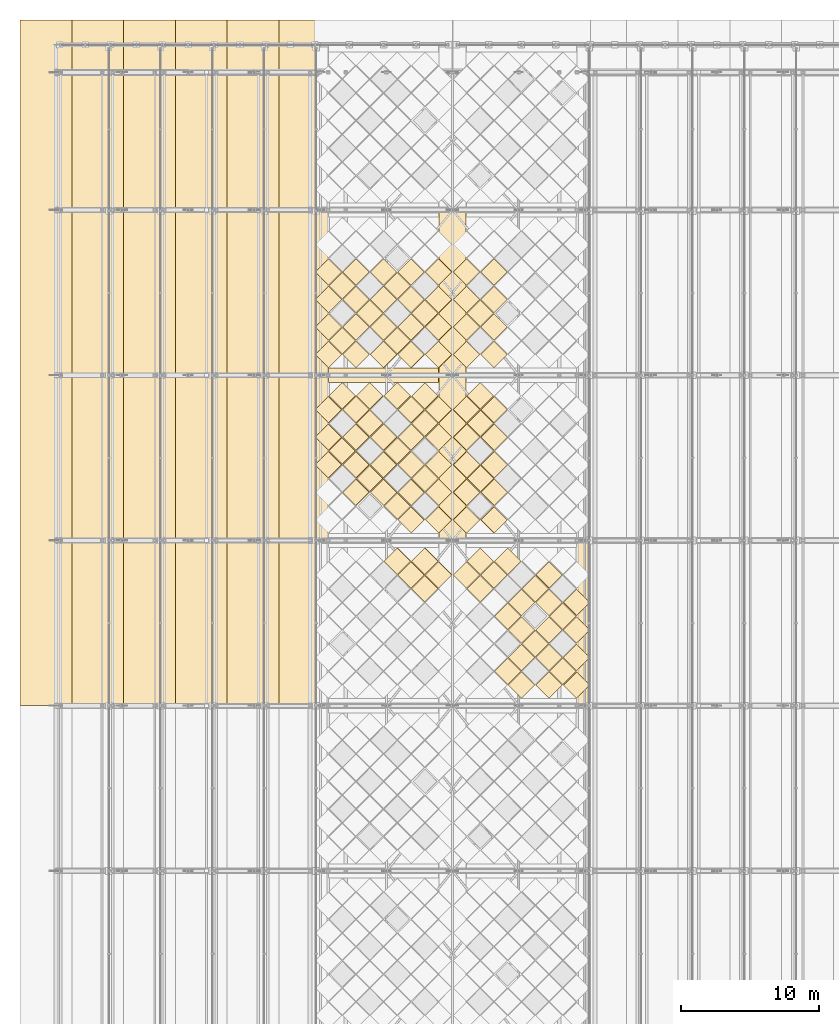
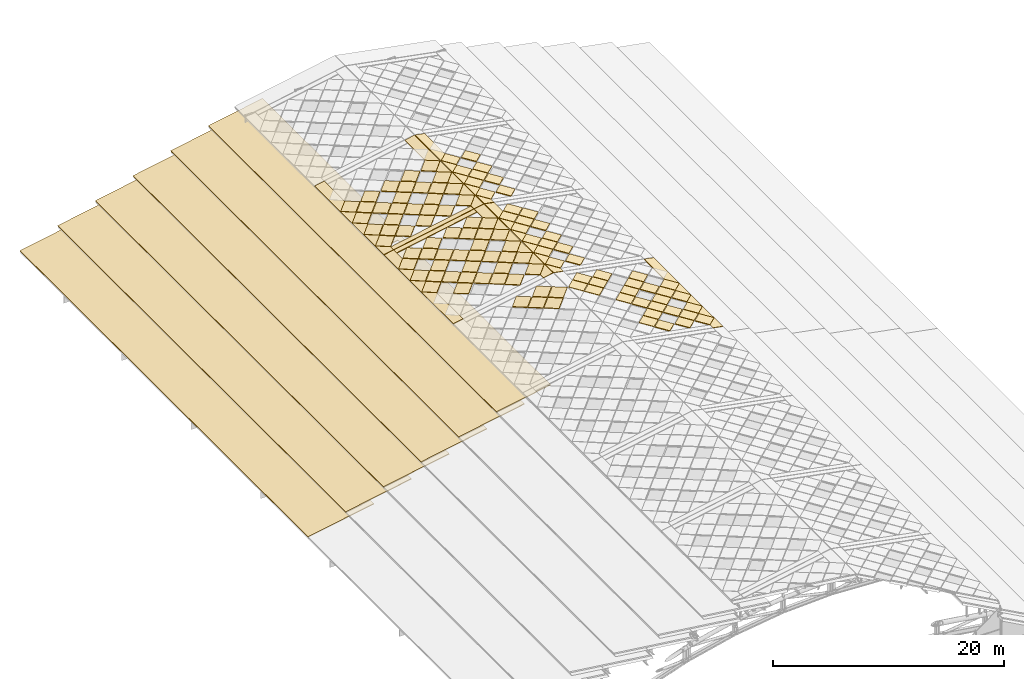
# One storey, part 115 of 117: 123 coverings.
"""IFC4 building model written with IfcOpenShell, lengths in metres."""

from ifc_helpers import new_model, si_unit, direction, frame, origin, place, context, subcontext, project, spatial, polyline, outline, extrude, material, layer, layer_set, type_object, element, save


model = new_model("IFC4")

# Units and contexts
model_context = context("Model", 3, precision=1e-05, world=origin(), true_north=direction((0.0, 1.0)))
body_context = subcontext(model_context, "Body", "Model", "MODEL_VIEW")
ifc_project = project(units=[si_unit("LENGTHUNIT", "METRE"), si_unit("AREAUNIT", "SQUARE_METRE"), si_unit("VOLUMEUNIT", "CUBIC_METRE"), si_unit("PLANEANGLEUNIT", "RADIAN"), si_unit("MASSUNIT", "GRAM", prefix="KILO")], contexts=[model_context])

# Site, building, storey
site_placement = place(None, origin())
site = spatial("IfcSite", under=ifc_project, at=site_placement, CompositionType="ELEMENT")
building_placement = place(site_placement, origin())
building = spatial("IfcBuilding", under=site, at=building_placement, Name="Merenkruunu Market Hall", CompositionType="ELEMENT")
storey_placement = place(building_placement, frame((0.0, 0.0, 22.800048828125)))
storey = spatial("IfcBuildingStorey", under=building, at=storey_placement, Name="RF", CompositionType="ELEMENT", Elevation=22.800048828125)

# Coverings
ifc_material_1 = material(Name="High-albedo white steel roof cladding", Category="steel")
ifc_layer_1 = layer(ifc_material_1, 0.080078125)
ifc_layer_set_1 = layer_set([ifc_layer_1], Name="High-albedo white steel roof cladding")
covering_type_1 = type_object("IfcCoveringType", Name="Insulated White Diamond Roof Panel RFG01", PredefinedType="ROOFING", material=ifc_layer_set_1)
for number, where, z_axis, x_axis, name in (
    (1, (26.8251953125, 73.10009765625, 1.5107421875), (-0.184711070472, 0.0, 0.982792867518), (0.700856370735, -0.70103461498, 0.131722496941), "COV-CROWN-PNL-293"),
    (2, (25.8251953125, 72.10009765625, 1.32275390625), (-0.184711070472, 0.0, 0.982792867518), (0.700856370735, -0.70103461498, 0.131722496941), "COV-CROWN-PNL-295"),
    (3, (25.8251953125, 74.10009765625, 1.32275390625), (-0.184711070472, 0.0, 0.982792867518), (0.700856370735, -0.70103461498, 0.131722496941), "COV-CROWN-PNL-296"),
    (4, (24.8251953125, 73.10009765625, 1.134765625), (-0.184711070472, 0.0, 0.982792867518), (0.700856370735, -0.70103461498, 0.131722496941), "COV-CROWN-PNL-301"),
):
    element("IfcCovering", number, at=place(storey_placement, frame(where, z_axis=z_axis, x_axis=x_axis)), inside=storey, type_object=covering_type_1, Name=name, PredefinedType="ROOFING", context=body_context, shape_type="SweptSolid", body=[
        extrude(outline(polyline([(0.0, 0.0), (1.369697098555844, -1.1796119636642288e-16), (1.393120202621735, 1.3694968053954037), (0.0235942550949389, 1.369322702063927), (0.0, 0.0)])), origin(), (0.0, 0.0, -1.0), 0.080078125),
    ])
covering_1_placement = place(storey_placement, frame((23.8251953125, 74.10009765625, 0.946533203125), z_axis=(-0.184831776078, 0.0, 0.982770173821), x_axis=(0.700856096019, -0.701018147677, 0.131811567397)))
element("IfcCovering", 5, at=covering_1_placement, inside=storey, type_object=covering_type_1, Name="COV-CROWN-PNL-304", PredefinedType="ROOFING", context=body_context, shape_type="SweptSolid", body=[
    extrude(outline(polyline([(0.0, 0.0), (1.3697292734952495, 5.551115123125783e-17), (1.3931839959170225, 1.3694962589931816), (0.023658049988929668, 1.3693537851152227), (0.0, 0.0)])), origin(), (0.0, 0.0, -1.0), 0.080078125),
])
for number, where, z_axis, x_axis, name in (
    (6, (28.85498046875, 73.10009765625, 1.87158203125), (0.184711070472, 0.0, 0.982792867518), (0.700856370735, -0.70103461498, -0.131722496941), "COV-CROWN-PNL-329"),
    (7, (29.85498046875, 72.10009765625, 1.68359375), (0.184711070472, 0.0, 0.982792867518), (0.700856370735, -0.70103461498, -0.131722496941), "COV-CROWN-PNL-331"),
    (8, (29.85498046875, 74.10009765625, 1.68359375), (0.184711070472, 0.0, 0.982792867518), (0.700856370735, -0.70103461498, -0.131722496941), "COV-CROWN-PNL-332"),
    (9, (30.85498046875, 73.10009765625, 1.49560546875), (0.184711070472, 0.0, 0.982792867518), (0.700856370735, -0.70103461498, -0.131722496941), "COV-CROWN-PNL-337"),
):
    element("IfcCovering", number, at=place(storey_placement, frame(where, z_axis=z_axis, x_axis=x_axis)), inside=storey, type_object=covering_type_1, Name=name, PredefinedType="ROOFING", context=body_context, shape_type="SweptSolid", body=[
        extrude(outline(polyline([(0.0, 0.0), (1.369697098555844, -1.1796119636642288e-16), (1.393120202621735, 1.3694968053954037), (0.0235942550949389, 1.369322702063927), (0.0, 0.0)])), origin(), (0.0, 0.0, -1.0), 0.080078125),
    ])
for number, where, z_axis, x_axis, name in (
    (10, (31.85498046875, 66.10009765625, 1.3076171875), (0.184831776078, 0.0, 0.982770173821), (0.700840184643, -0.701034617669, -0.131808574909), "COV-CROWN-PNL-338"),
    (11, (31.85498046875, 70.10009765625, 1.3076171875), (0.184831776078, 0.0, 0.982770173821), (0.700840184643, -0.701034617669, -0.131808574909), "COV-CROWN-PNL-339"),
    (12, (31.85498046875, 74.10009765625, 1.3076171875), (0.184831776078, 0.0, 0.982770173821), (0.700840184643, -0.701034617669, -0.131808574909), "COV-CROWN-PNL-340"),
    (13, (32.85498046875, 65.10009765625, 1.11962890625), (0.184831776078, 0.0, 0.982770173821), (0.700840184643, -0.701034617669, -0.131808574909), "COV-CROWN-PNL-341"),
    (14, (32.85498046875, 67.10009765625, 1.11962890625), (0.184831776078, 0.0, 0.982770173821), (0.700840184643, -0.701034617669, -0.131808574909), "COV-CROWN-PNL-342"),
    (15, (32.85498046875, 69.10009765625, 1.11962890625), (0.184831776078, 0.0, 0.982770173821), (0.700840184643, -0.701034617669, -0.131808574909), "COV-CROWN-PNL-343"),
    (16, (32.85498046875, 71.10009765625, 1.11962890625), (0.184831776078, 0.0, 0.982770173821), (0.700840184643, -0.701034617669, -0.131808574909), "COV-CROWN-PNL-344"),
    (17, (33.85498046875, 68.10009765625, 0.931640625), (0.184831776078, 0.0, 0.982770173821), (0.700840184643, -0.701034617669, -0.131808574909), "COV-CROWN-PNL-345"),
    (18, (33.85498046875, 72.10009765625, 0.931640625), (0.184831776078, 0.0, 0.982770173821), (0.700840184643, -0.701034617669, -0.131808574909), "COV-CROWN-PNL-346"),
    (19, (34.85498046875, 65.10009765625, 0.74365234375), (0.184831776078, 0.0, 0.982770173821), (0.700840184643, -0.701034617669, -0.131808574909), "COV-CROWN-PNL-348"),
    (20, (34.85498046875, 67.10009765625, 0.74365234375), (0.184831776078, 0.0, 0.982770173821), (0.700840184643, -0.701034617669, -0.131808574909), "COV-CROWN-PNL-349"),
    (21, (34.85498046875, 69.10009765625, 0.74365234375), (0.184831776078, 0.0, 0.982770173821), (0.700840184643, -0.701034617669, -0.131808574909), "COV-CROWN-PNL-350"),
    (22, (34.85498046875, 71.10009765625, 0.74365234375), (0.184831776078, 0.0, 0.982770173821), (0.700840184643, -0.701034617669, -0.131808574909), "COV-CROWN-PNL-351"),
    (23, (34.85498046875, 73.10009765625, 0.74365234375), (0.184831776078, 0.0, 0.982770173821), (0.700840184643, -0.701034617669, -0.131808574909), "COV-CROWN-PNL-352"),
    (24, (35.85498046875, 66.10009765625, 0.5556640625), (0.184831776078, 0.0, 0.982770173821), (0.700840184643, -0.701034617669, -0.131808574909), "COV-CROWN-PNL-353"),
    (25, (35.85498046875, 70.10009765625, 0.5556640625), (0.184831776078, 0.0, 0.982770173821), (0.700840184643, -0.701034617669, -0.131808574909), "COV-CROWN-PNL-354"),
    (26, (36.85498046875, 65.10009765625, 0.36767578125), (0.184831776078, 0.0, 0.982770173821), (0.700840184643, -0.701034617669, -0.131808574909), "COV-CROWN-PNL-356"),
    (27, (36.85498046875, 67.10009765625, 0.36767578125), (0.184831776078, 0.0, 0.982770173821), (0.700840184643, -0.701034617669, -0.131808574909), "COV-CROWN-PNL-357"),
    (28, (36.85498046875, 69.10009765625, 0.36767578125), (0.184831776078, 0.0, 0.982770173821), (0.700840184643, -0.701034617669, -0.131808574909), "COV-CROWN-PNL-358"),
    (29, (36.85498046875, 71.10009765625, 0.36767578125), (0.184831776078, 0.0, 0.982770173821), (0.700840184643, -0.701034617669, -0.131808574909), "COV-CROWN-PNL-359"),
):
    element("IfcCovering", number, at=place(storey_placement, frame(where, z_axis=z_axis, x_axis=x_axis)), inside=storey, type_object=covering_type_1, Name=name, PredefinedType="ROOFING", context=body_context, shape_type="SweptSolid", body=[
        extrude(outline(polyline([(0.0, 0.0), (1.3696970933020924, 3.8163916471489756e-17), (1.3931523667781838, 1.3695284344678598), (0.023594244677936634, 1.3693226969882304), (0.0, 0.0)])), origin(), (0.0, 0.0, -1.0), 0.080078125),
    ])
for number, where, z_axis, x_axis, name in (
    (30, (26.8251953125, 77.10009765625, 1.5107421875), (-0.184711070472, 0.0, 0.982792867518), (0.700856370735, -0.70103461498, 0.131722496941), "COV-CROWN-PNL-361"),
    (31, (26.8251953125, 79.10009765625, 1.5107421875), (-0.184711070472, 0.0, 0.982792867518), (0.700856370735, -0.70103461498, 0.131722496941), "COV-CROWN-PNL-362"),
    (32, (26.8251953125, 81.10009765625, 1.5107421875), (-0.184711070472, 0.0, 0.982792867518), (0.700856370735, -0.70103461498, 0.131722496941), "COV-CROWN-PNL-363"),
    (33, (26.8251953125, 83.10009765625, 1.5107421875), (-0.184711070472, 0.0, 0.982792867518), (0.700856370735, -0.70103461498, 0.131722496941), "COV-CROWN-PNL-364"),
    (34, (26.8251953125, 85.10009765625, 1.5107421875), (-0.184711070472, 0.0, 0.982792867518), (0.700856370735, -0.70103461498, 0.131722496941), "COV-CROWN-PNL-365"),
    (35, (25.8251953125, 80.10009765625, 1.32275390625), (-0.184711070472, 0.0, 0.982792867518), (0.700856370735, -0.70103461498, 0.131722496941), "COV-CROWN-PNL-366"),
    (36, (25.8251953125, 84.10009765625, 1.32275390625), (-0.184711070472, 0.0, 0.982792867518), (0.700856370735, -0.70103461498, 0.131722496941), "COV-CROWN-PNL-367"),
    (37, (25.8251953125, 86.10009765625, 1.32275390625), (-0.184711070472, 0.0, 0.982792867518), (0.700856370735, -0.70103461498, 0.131722496941), "COV-CROWN-PNL-368"),
    (38, (24.8251953125, 77.10009765625, 1.134765625), (-0.184711070472, 0.0, 0.982792867518), (0.700856370735, -0.70103461498, 0.131722496941), "COV-CROWN-PNL-369"),
    (39, (24.8251953125, 79.10009765625, 1.134765625), (-0.184711070472, 0.0, 0.982792867518), (0.700856370735, -0.70103461498, 0.131722496941), "COV-CROWN-PNL-370"),
    (40, (24.8251953125, 81.10009765625, 1.134765625), (-0.184711070472, 0.0, 0.982792867518), (0.700856370735, -0.70103461498, 0.131722496941), "COV-CROWN-PNL-371"),
    (41, (24.8251953125, 83.10009765625, 1.134765625), (-0.184711070472, 0.0, 0.982792867518), (0.700856370735, -0.70103461498, 0.131722496941), "COV-CROWN-PNL-372"),
    (42, (24.8251953125, 85.10009765625, 1.134765625), (-0.184711070472, 0.0, 0.982792867518), (0.700856370735, -0.70103461498, 0.131722496941), "COV-CROWN-PNL-373"),
):
    element("IfcCovering", number, at=place(storey_placement, frame(where, z_axis=z_axis, x_axis=x_axis)), inside=storey, type_object=covering_type_1, Name=name, PredefinedType="ROOFING", context=body_context, shape_type="SweptSolid", body=[
        extrude(outline(polyline([(0.0, 0.0), (1.369697098555844, -1.1796119636642288e-16), (1.393120202621735, 1.3694968053954037), (0.0235942550949389, 1.369322702063927), (0.0, 0.0)])), origin(), (0.0, 0.0, -1.0), 0.080078125),
    ])
for number, where, z_axis, x_axis, name in (
    (43, (23.8251953125, 78.10009765625, 0.946533203125), (-0.184831776078, 0.0, 0.982770173821), (0.700856096019, -0.701018147677, 0.131811567397), "COV-CROWN-PNL-374"),
    (44, (23.8251953125, 82.10009765625, 0.946533203125), (-0.184831776078, 0.0, 0.982770173821), (0.700856096019, -0.701018147677, 0.131811567397), "COV-CROWN-PNL-375"),
    (45, (23.8251953125, 86.10009765625, 0.946533203125), (-0.184831776078, 0.0, 0.982770173821), (0.700856096019, -0.701018147677, 0.131811567397), "COV-CROWN-PNL-376"),
    (46, (22.8251953125, 79.10009765625, 0.758544921875), (-0.184831776078, 0.0, 0.982770173821), (0.700856096019, -0.701018147677, 0.131811567397), "COV-CROWN-PNL-378"),
    (47, (22.8251953125, 81.10009765625, 0.758544921875), (-0.184831776078, 0.0, 0.982770173821), (0.700856096019, -0.701018147677, 0.131811567397), "COV-CROWN-PNL-379"),
    (48, (22.8251953125, 83.10009765625, 0.758544921875), (-0.184831776078, 0.0, 0.982770173821), (0.700856096019, -0.701018147677, 0.131811567397), "COV-CROWN-PNL-380"),
    (49, (21.8251953125, 80.10009765625, 0.570556640625), (-0.184831776078, 0.0, 0.982770173821), (0.700856096019, -0.701018147677, 0.131811567397), "COV-CROWN-PNL-381"),
    (50, (21.8251953125, 84.10009765625, 0.570556640625), (-0.184831776078, 0.0, 0.982770173821), (0.700856096019, -0.701018147677, 0.131811567397), "COV-CROWN-PNL-382"),
    (51, (21.8251953125, 86.10009765625, 0.570556640625), (-0.184831776078, 0.0, 0.982770173821), (0.700856096019, -0.701018147677, 0.131811567397), "COV-CROWN-PNL-383"),
    (52, (20.8251953125, 79.10009765625, 0.382568359375), (-0.184831776078, 0.0, 0.982770173821), (0.700856096019, -0.701018147677, 0.131811567397), "COV-CROWN-PNL-385"),
    (53, (20.8251953125, 81.10009765625, 0.382568359375), (-0.184831776078, 0.0, 0.982770173821), (0.700856096019, -0.701018147677, 0.131811567397), "COV-CROWN-PNL-386"),
    (54, (20.8251953125, 83.10009765625, 0.382568359375), (-0.184831776078, 0.0, 0.982770173821), (0.700856096019, -0.701018147677, 0.131811567397), "COV-CROWN-PNL-387"),
    (55, (20.8251953125, 85.10009765625, 0.382568359375), (-0.184831776078, 0.0, 0.982770173821), (0.700856096019, -0.701018147677, 0.131811567397), "COV-CROWN-PNL-388"),
    (56, (19.8251953125, 82.10009765625, 0.194580078125), (-0.184831776078, 0.0, 0.982770173821), (0.700856096019, -0.701018147677, 0.131811567397), "COV-CROWN-PNL-390"),
    (57, (19.8251953125, 86.10009765625, 0.194580078125), (-0.184831776078, 0.0, 0.982770173821), (0.700856096019, -0.701018147677, 0.131811567397), "COV-CROWN-PNL-391"),
    (58, (18.8251953125, 81.10009765625, 0.006591796875), (-0.184831776078, 0.0, 0.982770173821), (0.700856096019, -0.701018147677, 0.131811567397), "COV-CROWN-PNL-394"),
    (59, (18.8251953125, 83.10009765625, 0.006591796875), (-0.184831776078, 0.0, 0.982770173821), (0.700856096019, -0.701018147677, 0.131811567397), "COV-CROWN-PNL-395"),
    (60, (18.8251953125, 85.10009765625, 0.006591796875), (-0.184831776078, 0.0, 0.982770173821), (0.700856096019, -0.701018147677, 0.131811567397), "COV-CROWN-PNL-396"),
):
    element("IfcCovering", number, at=place(storey_placement, frame(where, z_axis=z_axis, x_axis=x_axis)), inside=storey, type_object=covering_type_1, Name=name, PredefinedType="ROOFING", context=body_context, shape_type="SweptSolid", body=[
        extrude(outline(polyline([(0.0, 0.0), (1.3697292734952495, 5.551115123125783e-17), (1.3931839959170225, 1.3694962589931816), (0.023658049988929668, 1.3693537851152227), (0.0, 0.0)])), origin(), (0.0, 0.0, -1.0), 0.080078125),
    ])
for number, where, z_axis, x_axis, name in (
    (61, (28.85498046875, 77.10009765625, 1.87158203125), (0.184711070472, 0.0, 0.982792867518), (0.700856370735, -0.70103461498, -0.131722496941), "COV-CROWN-PNL-397"),
    (62, (28.85498046875, 79.10009765625, 1.87158203125), (0.184711070472, 0.0, 0.982792867518), (0.700856370735, -0.70103461498, -0.131722496941), "COV-CROWN-PNL-398"),
    (63, (28.85498046875, 81.10009765625, 1.87158203125), (0.184711070472, 0.0, 0.982792867518), (0.700856370735, -0.70103461498, -0.131722496941), "COV-CROWN-PNL-399"),
    (64, (28.85498046875, 83.10009765625, 1.87158203125), (0.184711070472, 0.0, 0.982792867518), (0.700856370735, -0.70103461498, -0.131722496941), "COV-CROWN-PNL-400"),
    (65, (28.85498046875, 85.10009765625, 1.87158203125), (0.184711070472, 0.0, 0.982792867518), (0.700856370735, -0.70103461498, -0.131722496941), "COV-CROWN-PNL-401"),
    (66, (29.85498046875, 80.10009765625, 1.68359375), (0.184711070472, 0.0, 0.982792867518), (0.700856370735, -0.70103461498, -0.131722496941), "COV-CROWN-PNL-402"),
    (67, (29.85498046875, 84.10009765625, 1.68359375), (0.184711070472, 0.0, 0.982792867518), (0.700856370735, -0.70103461498, -0.131722496941), "COV-CROWN-PNL-403"),
    (68, (29.85498046875, 86.10009765625, 1.68359375), (0.184711070472, 0.0, 0.982792867518), (0.700856370735, -0.70103461498, -0.131722496941), "COV-CROWN-PNL-404"),
    (69, (30.85498046875, 77.10009765625, 1.49560546875), (0.184711070472, 0.0, 0.982792867518), (0.700856370735, -0.70103461498, -0.131722496941), "COV-CROWN-PNL-405"),
    (70, (30.85498046875, 79.10009765625, 1.49560546875), (0.184711070472, 0.0, 0.982792867518), (0.700856370735, -0.70103461498, -0.131722496941), "COV-CROWN-PNL-406"),
    (71, (30.85498046875, 81.10009765625, 1.49560546875), (0.184711070472, 0.0, 0.982792867518), (0.700856370735, -0.70103461498, -0.131722496941), "COV-CROWN-PNL-407"),
    (72, (30.85498046875, 83.10009765625, 1.49560546875), (0.184711070472, 0.0, 0.982792867518), (0.700856370735, -0.70103461498, -0.131722496941), "COV-CROWN-PNL-408"),
    (73, (30.85498046875, 85.10009765625, 1.49560546875), (0.184711070472, 0.0, 0.982792867518), (0.700856370735, -0.70103461498, -0.131722496941), "COV-CROWN-PNL-409"),
    (74, (26.8251953125, 89.10009765625, 1.5107421875), (-0.184711070472, 0.0, 0.982792867518), (0.700856370735, -0.70103461498, 0.131722496941), "COV-CROWN-PNL-433"),
    (75, (26.8251953125, 91.10009765625, 1.5107421875), (-0.184711070472, 0.0, 0.982792867518), (0.700856370735, -0.70103461498, 0.131722496941), "COV-CROWN-PNL-434"),
    (76, (26.8251953125, 93.10009765625, 1.5107421875), (-0.184711070472, 0.0, 0.982792867518), (0.700856370735, -0.70103461498, 0.131722496941), "COV-CROWN-PNL-435"),
    (77, (26.8251953125, 95.10009765625, 1.5107421875), (-0.184711070472, 0.0, 0.982792867518), (0.700856370735, -0.70103461498, 0.131722496941), "COV-CROWN-PNL-436"),
    (78, (25.8251953125, 92.10009765625, 1.32275390625), (-0.184711070472, 0.0, 0.982792867518), (0.700856370735, -0.70103461498, 0.131722496941), "COV-CROWN-PNL-438"),
    (79, (24.8251953125, 89.10009765625, 1.134765625), (-0.184711070472, 0.0, 0.982792867518), (0.700856370735, -0.70103461498, 0.131722496941), "COV-CROWN-PNL-441"),
    (80, (24.8251953125, 91.10009765625, 1.134765625), (-0.184711070472, 0.0, 0.982792867518), (0.700856370735, -0.70103461498, 0.131722496941), "COV-CROWN-PNL-442"),
    (81, (24.8251953125, 93.10009765625, 1.134765625), (-0.184711070472, 0.0, 0.982792867518), (0.700856370735, -0.70103461498, 0.131722496941), "COV-CROWN-PNL-443"),
    (82, (24.8251953125, 95.10009765625, 1.134765625), (-0.184711070472, 0.0, 0.982792867518), (0.700856370735, -0.70103461498, 0.131722496941), "COV-CROWN-PNL-444"),
):
    element("IfcCovering", number, at=place(storey_placement, frame(where, z_axis=z_axis, x_axis=x_axis)), inside=storey, type_object=covering_type_1, Name=name, PredefinedType="ROOFING", context=body_context, shape_type="SweptSolid", body=[
        extrude(outline(polyline([(0.0, 0.0), (1.369697098555844, -1.1796119636642288e-16), (1.393120202621735, 1.3694968053954037), (0.0235942550949389, 1.369322702063927), (0.0, 0.0)])), origin(), (0.0, 0.0, -1.0), 0.080078125),
    ])
for number, where, z_axis, x_axis, name in (
    (83, (23.8251953125, 90.10009765625, 0.946533203125), (-0.184831776078, 0.0, 0.982770173821), (0.700856096019, -0.701018147677, 0.131811567397), "COV-CROWN-PNL-446"),
    (84, (23.8251953125, 94.10009765625, 0.946533203125), (-0.184831776078, 0.0, 0.982770173821), (0.700856096019, -0.701018147677, 0.131811567397), "COV-CROWN-PNL-447"),
    (85, (22.8251953125, 89.10009765625, 0.758544921875), (-0.184831776078, 0.0, 0.982770173821), (0.700856096019, -0.701018147677, 0.131811567397), "COV-CROWN-PNL-449"),
    (86, (22.8251953125, 91.10009765625, 0.758544921875), (-0.184831776078, 0.0, 0.982770173821), (0.700856096019, -0.701018147677, 0.131811567397), "COV-CROWN-PNL-450"),
    (87, (22.8251953125, 93.10009765625, 0.758544921875), (-0.184831776078, 0.0, 0.982770173821), (0.700856096019, -0.701018147677, 0.131811567397), "COV-CROWN-PNL-451"),
    (88, (22.8251953125, 95.10009765625, 0.758544921875), (-0.184831776078, 0.0, 0.982770173821), (0.700856096019, -0.701018147677, 0.131811567397), "COV-CROWN-PNL-452"),
    (89, (21.8251953125, 92.10009765625, 0.570556640625), (-0.184831776078, 0.0, 0.982770173821), (0.700856096019, -0.701018147677, 0.131811567397), "COV-CROWN-PNL-453"),
    (90, (20.8251953125, 89.10009765625, 0.382568359375), (-0.184831776078, 0.0, 0.982770173821), (0.700856096019, -0.701018147677, 0.131811567397), "COV-CROWN-PNL-456"),
    (91, (20.8251953125, 91.10009765625, 0.382568359375), (-0.184831776078, 0.0, 0.982770173821), (0.700856096019, -0.701018147677, 0.131811567397), "COV-CROWN-PNL-457"),
    (92, (20.8251953125, 93.10009765625, 0.382568359375), (-0.184831776078, 0.0, 0.982770173821), (0.700856096019, -0.701018147677, 0.131811567397), "COV-CROWN-PNL-458"),
    (93, (20.8251953125, 95.10009765625, 0.382568359375), (-0.184831776078, 0.0, 0.982770173821), (0.700856096019, -0.701018147677, 0.131811567397), "COV-CROWN-PNL-459"),
    (94, (19.8251953125, 90.10009765625, 0.194580078125), (-0.184831776078, 0.0, 0.982770173821), (0.700856096019, -0.701018147677, 0.131811567397), "COV-CROWN-PNL-461"),
    (95, (19.8251953125, 94.10009765625, 0.194580078125), (-0.184831776078, 0.0, 0.982770173821), (0.700856096019, -0.701018147677, 0.131811567397), "COV-CROWN-PNL-462"),
    (96, (18.8251953125, 89.10009765625, 0.006591796875), (-0.184831776078, 0.0, 0.982770173821), (0.700856096019, -0.701018147677, 0.131811567397), "COV-CROWN-PNL-464"),
    (97, (18.8251953125, 91.10009765625, 0.006591796875), (-0.184831776078, 0.0, 0.982770173821), (0.700856096019, -0.701018147677, 0.131811567397), "COV-CROWN-PNL-465"),
    (98, (18.8251953125, 93.10009765625, 0.006591796875), (-0.184831776078, 0.0, 0.982770173821), (0.700856096019, -0.701018147677, 0.131811567397), "COV-CROWN-PNL-466"),
    (99, (18.8251953125, 95.10009765625, 0.006591796875), (-0.184831776078, 0.0, 0.982770173821), (0.700856096019, -0.701018147677, 0.131811567397), "COV-CROWN-PNL-467"),
):
    element("IfcCovering", number, at=place(storey_placement, frame(where, z_axis=z_axis, x_axis=x_axis)), inside=storey, type_object=covering_type_1, Name=name, PredefinedType="ROOFING", context=body_context, shape_type="SweptSolid", body=[
        extrude(outline(polyline([(0.0, 0.0), (1.3697292734952495, 5.551115123125783e-17), (1.3931839959170225, 1.3694962589931816), (0.023658049988929668, 1.3693537851152227), (0.0, 0.0)])), origin(), (0.0, 0.0, -1.0), 0.080078125),
    ])
for number, where, z_axis, x_axis, name in (
    (100, (28.85498046875, 89.10009765625, 1.87158203125), (0.184711070472, 0.0, 0.982792867518), (0.700856370735, -0.70103461498, -0.131722496941), "COV-CROWN-PNL-469"),
    (101, (28.85498046875, 91.10009765625, 1.87158203125), (0.184711070472, 0.0, 0.982792867518), (0.700856370735, -0.70103461498, -0.131722496941), "COV-CROWN-PNL-470"),
    (102, (28.85498046875, 93.10009765625, 1.87158203125), (0.184711070472, 0.0, 0.982792867518), (0.700856370735, -0.70103461498, -0.131722496941), "COV-CROWN-PNL-471"),
    (103, (28.85498046875, 95.10009765625, 1.87158203125), (0.184711070472, 0.0, 0.982792867518), (0.700856370735, -0.70103461498, -0.131722496941), "COV-CROWN-PNL-472"),
    (104, (29.85498046875, 92.10009765625, 1.68359375), (0.184711070472, 0.0, 0.982792867518), (0.700856370735, -0.70103461498, -0.131722496941), "COV-CROWN-PNL-474"),
    (105, (30.85498046875, 89.10009765625, 1.49560546875), (0.184711070472, 0.0, 0.982792867518), (0.700856370735, -0.70103461498, -0.131722496941), "COV-CROWN-PNL-477"),
    (106, (30.85498046875, 91.10009765625, 1.49560546875), (0.184711070472, 0.0, 0.982792867518), (0.700856370735, -0.70103461498, -0.131722496941), "COV-CROWN-PNL-478"),
    (107, (30.85498046875, 93.10009765625, 1.49560546875), (0.184711070472, 0.0, 0.982792867518), (0.700856370735, -0.70103461498, -0.131722496941), "COV-CROWN-PNL-479"),
    (108, (30.85498046875, 95.10009765625, 1.49560546875), (0.184711070472, 0.0, 0.982792867518), (0.700856370735, -0.70103461498, -0.131722496941), "COV-CROWN-PNL-480"),
):
    element("IfcCovering", number, at=place(storey_placement, frame(where, z_axis=z_axis, x_axis=x_axis)), inside=storey, type_object=covering_type_1, Name=name, PredefinedType="ROOFING", context=body_context, shape_type="SweptSolid", body=[
        extrude(outline(polyline([(0.0, 0.0), (1.369697098555844, -1.1796119636642288e-16), (1.393120202621735, 1.3694968053954037), (0.0235942550949389, 1.369322702063927), (0.0, 0.0)])), origin(), (0.0, 0.0, -1.0), 0.080078125),
    ])
covering_2_placement = place(storey_placement, frame((-2.61474609375, 63.60009765625, -7.720703125), z_axis=(-0.182233397966, 0.0, 0.983255301875), x_axis=(0.983255301875, 0.0, 0.182233397966)))
element("IfcCovering", 109, at=covering_2_placement, inside=storey, type_object=covering_type_1, Name="COV-SLRF-029", PredefinedType="ROOFING", context=body_context, shape_type="SweptSolid", body=[
    extrude(outline(polyline([(0.0, 0.0), (6.671775459779865, 0.0), (6.671775459779865, 49.7998046875), (0.0, 49.7998046875), (0.0, 0.0)]), holes=[polyline([(4.841049288943523, 24.25), (6.163241390085635, 24.25), (6.163241390085635, 25.5498046875), (4.841049288943523, 25.5498046875), (4.841049288943523, 24.25)])]), origin(), (0.0, 0.0, -1.0), 0.080078125),
])
covering_3_placement = place(storey_placement, frame((1.145263671875, 63.60009765625, -6.400634765625), z_axis=(-0.182198019779, 0.0, 0.983261858097), x_axis=(0.983261858097, 0.0, 0.182198019779)))
element("IfcCovering", 110, at=covering_3_placement, inside=storey, type_object=covering_type_1, Name="COV-SLRF-033", PredefinedType="ROOFING", context=body_context, shape_type="SweptSolid", body=[
    extrude(outline(polyline([(0.0, 0.0), (6.671730973522802, 0.0), (6.671730973522802, 49.7998046875), (0.0, 49.7998046875), (0.0, 0.0)]), holes=[polyline([(4.84104929022978, 24.25), (6.163241389812071, 24.25), (6.163241389812071, 25.5498046875), (4.84104929022978, 25.5498046875), (4.84104929022978, 24.25)])]), origin(), (0.0, 0.0, -1.0), 0.080078125),
])
covering_4_placement = place(storey_placement, frame((4.9052734375, 63.60009765625, -5.080810546875), z_axis=(-0.182233397966, 0.0, 0.983255301875), x_axis=(0.983255301875, 0.0, 0.182233397966)))
element("IfcCovering", 111, at=covering_4_placement, inside=storey, type_object=covering_type_1, Name="COV-SLRF-037", PredefinedType="ROOFING", context=body_context, shape_type="SweptSolid", body=[
    extrude(outline(polyline([(0.0, 0.0), (6.671775459779865, 0.0), (6.671775459779865, 49.7998046875), (0.0, 49.7998046875), (0.0, 0.0)]), holes=[polyline([(4.841093779519199, 24.25), (6.16328588066131, 24.25), (6.16328588066131, 25.5498046875), (4.841093779519199, 25.5498046875), (4.841093779519199, 24.25)])]), origin(), (0.0, 0.0, -1.0), 0.080078125),
])
covering_5_placement = place(storey_placement, frame((8.665283203125, 63.60009765625, -3.7607421875), z_axis=(-0.182233397966, 0.0, 0.983255301875), x_axis=(0.983255301875, 0.0, 0.182233397966)))
element("IfcCovering", 112, at=covering_5_placement, inside=storey, type_object=covering_type_1, Name="COV-SLRF-041", PredefinedType="ROOFING", context=body_context, shape_type="SweptSolid", body=[
    extrude(outline(polyline([(0.0, 0.0), (6.671775459779865, 0.0), (6.671775459779865, 49.7998046875), (0.0, 49.7998046875), (0.0, 0.0)]), holes=[polyline([(4.841049288943523, 24.25), (6.16328588066131, 24.25), (6.16328588066131, 25.5498046875), (4.841049288943523, 25.5498046875), (4.841049288943523, 24.25)])]), origin(), (0.0, 0.0, -1.0), 0.080078125),
])
covering_6_placement = place(storey_placement, frame((12.42529296875, 63.60009765625, -2.440673828125), z_axis=(-0.182233397966, 0.0, 0.983255301875), x_axis=(0.983255301875, 0.0, 0.182233397966)))
element("IfcCovering", 113, at=covering_6_placement, inside=storey, type_object=covering_type_1, Name="COV-SLRF-045", PredefinedType="ROOFING", context=body_context, shape_type="SweptSolid", body=[
    extrude(outline(polyline([(0.0, 0.0), (6.671775459779865, 0.0), (6.671775459779865, 49.7998046875), (0.0, 49.7998046875), (0.0, 0.0)]), holes=[polyline([(4.841049288943523, 24.25), (6.163241390085635, 24.25), (6.163241390085635, 25.5498046875), (4.841049288943523, 25.5498046875), (4.841049288943523, 24.25)])]), origin(), (0.0, 0.0, -1.0), 0.080078125),
])
covering_7_placement = place(storey_placement, frame((16.185302734375, 63.60009765625, -1.120849609375), z_axis=(-0.182264364095, 0.0, 0.983249562207), x_axis=(0.983249562207, 0.0, 0.182264364095)))
element("IfcCovering", 114, at=covering_7_placement, inside=storey, type_object=covering_type_1, Name="COV-SLRF-049", PredefinedType="ROOFING", context=body_context, shape_type="SweptSolid", body=[
    extrude(outline(polyline([(0.0, 0.0), (5.491893972092966, 0.0), (5.491893972092966, 49.7998046875), (0.0, 49.7998046875), (0.0, 0.0)]), holes=[polyline([(3.661407849458488, 24.25), (4.983359899398421, 24.25), (4.983359899398421, 25.5498046875), (3.661407849458488, 25.5498046875), (3.661407849458488, 24.25)])]), origin(), (0.0, 0.0, -1.0), 0.080078125),
])
ifc_material_2 = material(Name="High-albedo white roof membrane")
ifc_layer_2 = layer(ifc_material_2, 0.06005859375)
ifc_layer_set_2 = layer_set([ifc_layer_2], Name="High-albedo white roof membrane")
covering_type_2 = type_object("IfcCoveringType", Name="Warm Membrane Roof Covering RFG02", PredefinedType="ROOFING", material=ifc_layer_set_2)
covering_8_placement = place(storey_placement, frame((37.831298828125, 63.6201171875, 0.16357421875), z_axis=(0.184711070472, 0.0, 0.982792867518), x_axis=(0.982792867518, 0.0, -0.184711070472)))
element("IfcCovering", 115, at=covering_8_placement, inside=storey, type_object=covering_type_2, Name="COV-CROWN-TRIM-038", PredefinedType="ROOFING", context=body_context, shape_type="SweptSolid", body=[
    extrude(outline(polyline([(0.0, 0.0), (0.9767683193753063, 0.0), (0.9767683193753063, 11.9599609375), (0.0, 11.9599609375), (0.0, 0.0)])), origin(), (0.0, 0.0, -1.0), 0.06005859375),
])
covering_9_placement = place(storey_placement, frame((27.808837890625, 75.6201171875, 1.675048828125), z_axis=(-0.184952473321, 0.0, 0.982747466348), x_axis=(0.982747466348, 0.0, 0.184952473321)))
element("IfcCovering", 116, at=covering_9_placement, inside=storey, type_object=covering_type_2, Name="COV-CROWN-TRIM-041", PredefinedType="ROOFING", context=body_context, shape_type="SweptSolid", body=[
    extrude(outline(polyline([(0.0, 0.0), (0.9768134443202975, 0.0), (0.9768134443202975, 11.9599609375), (0.0, 11.9599609375), (0.0, 0.0)])), origin(), (0.0, 0.0, -1.0), 0.06005859375),
])
covering_10_placement = place(storey_placement, frame((18.808837890625, 75.6201171875, -0.016845703125), z_axis=(-0.184711070472, 0.0, 0.982792867518), x_axis=(0.982792867518, 0.0, 0.184711070472)))
element("IfcCovering", 117, at=covering_10_placement, inside=storey, type_object=covering_type_2, Name="COV-CROWN-TRIM-042", PredefinedType="ROOFING", context=body_context, shape_type="SweptSolid", body=[
    extrude(outline(polyline([(0.0, 0.0), (0.9767683193753063, 0.0), (0.9767683193753063, 11.9599609375), (0.0, 11.9599609375), (0.0, 0.0)])), origin(), (0.0, 0.0, -1.0), 0.06005859375),
])
covering_11_placement = place(storey_placement, frame((19.788818359375, 87.080078125, 0.16748046875), z_axis=(-0.184752092456, 0.0, 0.982785156753), x_axis=(0.982785156753, 0.0, 0.184752092456)))
element("IfcCovering", 118, at=covering_11_placement, inside=storey, type_object=covering_type_2, Name="COV-CROWN-TRIM-044", PredefinedType="ROOFING", context=body_context, shape_type="SweptSolid", body=[
    extrude(outline(polyline([(0.0, 0.0), (8.140131080565538, 0.0), (8.140131080565538, 0.5000000000000001), (0.0, 0.5000000000000001), (0.0, 0.0)])), origin(), (0.0, 0.0, -1.0), 0.06005859375),
])
for number, where, z_axis, x_axis, name in (
    (119, (28.831298828125, 75.6201171875, 1.855712890625), (0.184952473321, 0.0, 0.982747466348), (0.982747466348, 0.0, -0.184952473321), "COV-CROWN-TRIM-045"),
    (120, (27.808837890625, 87.6201171875, 1.675048828125), (-0.184952473321, 0.0, 0.982747466348), (0.982747466348, 0.0, 0.184952473321), "COV-CROWN-TRIM-049"),
):
    element("IfcCovering", number, at=place(storey_placement, frame(where, z_axis=z_axis, x_axis=x_axis)), inside=storey, type_object=covering_type_2, Name=name, PredefinedType="ROOFING", context=body_context, shape_type="SweptSolid", body=[
        extrude(outline(polyline([(0.0, 0.0), (0.9768134443202975, 0.0), (0.9768134443202975, 11.9599609375), (0.0, 11.9599609375), (0.0, 0.0)])), origin(), (0.0, 0.0, -1.0), 0.06005859375),
    ])
covering_12_placement = place(storey_placement, frame((18.808837890625, 87.6201171875, -0.016845703125), z_axis=(-0.184711070472, 0.0, 0.982792867518), x_axis=(0.982792867518, 0.0, 0.184711070472)))
element("IfcCovering", 121, at=covering_12_placement, inside=storey, type_object=covering_type_2, Name="COV-CROWN-TRIM-050", PredefinedType="ROOFING", context=body_context, shape_type="SweptSolid", body=[
    extrude(outline(polyline([(0.0, 0.0), (0.9767683193753063, 0.0), (0.9767683193753063, 11.9599609375), (0.0, 11.9599609375), (0.0, 0.0)])), origin(), (0.0, 0.0, -1.0), 0.06005859375),
])
covering_13_placement = place(storey_placement, frame((19.788818359375, 87.6201171875, 0.16748046875), z_axis=(-0.184752092456, 0.0, 0.982785156753), x_axis=(0.982785156753, 0.0, 0.184752092456)))
element("IfcCovering", 122, at=covering_13_placement, inside=storey, type_object=covering_type_2, Name="COV-CROWN-TRIM-051", PredefinedType="ROOFING", context=body_context, shape_type="SweptSolid", body=[
    extrude(outline(polyline([(0.0, 0.0), (8.140131080565538, 0.0), (8.140131080565538, 0.5000000000000001), (0.0, 0.5000000000000001), (0.0, 0.0)])), origin(), (0.0, 0.0, -1.0), 0.06005859375),
])
covering_14_placement = place(storey_placement, frame((28.831298828125, 87.6201171875, 1.855712890625), z_axis=(0.184952473321, 0.0, 0.982747466348), x_axis=(0.982747466348, 0.0, -0.184952473321)))
element("IfcCovering", 123, at=covering_14_placement, inside=storey, type_object=covering_type_2, Name="COV-CROWN-TRIM-053", PredefinedType="ROOFING", context=body_context, shape_type="SweptSolid", body=[
    extrude(outline(polyline([(0.0, 0.0), (0.9768134443202975, 0.0), (0.9768134443202975, 11.9599609375), (0.0, 11.9599609375), (0.0, 0.0)])), origin(), (0.0, 0.0, -1.0), 0.06005859375),
])

save(model, "model.ifc")
